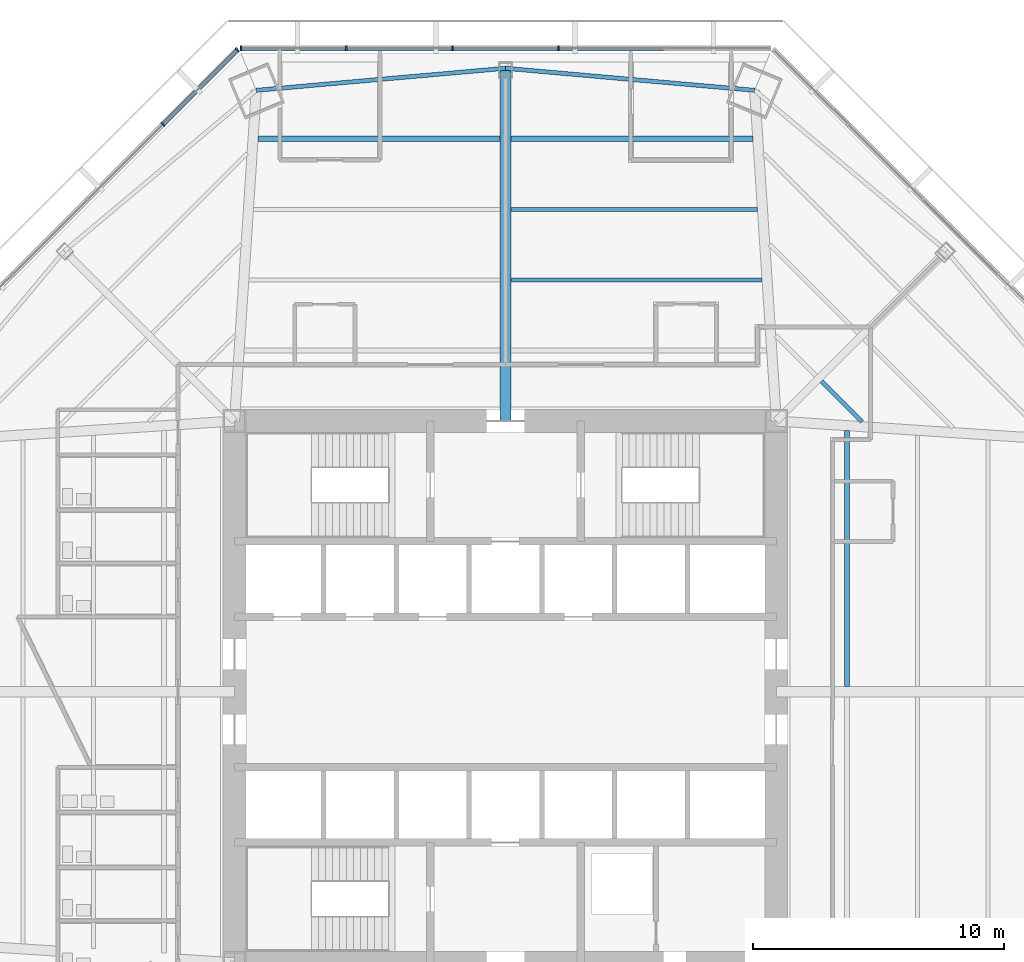
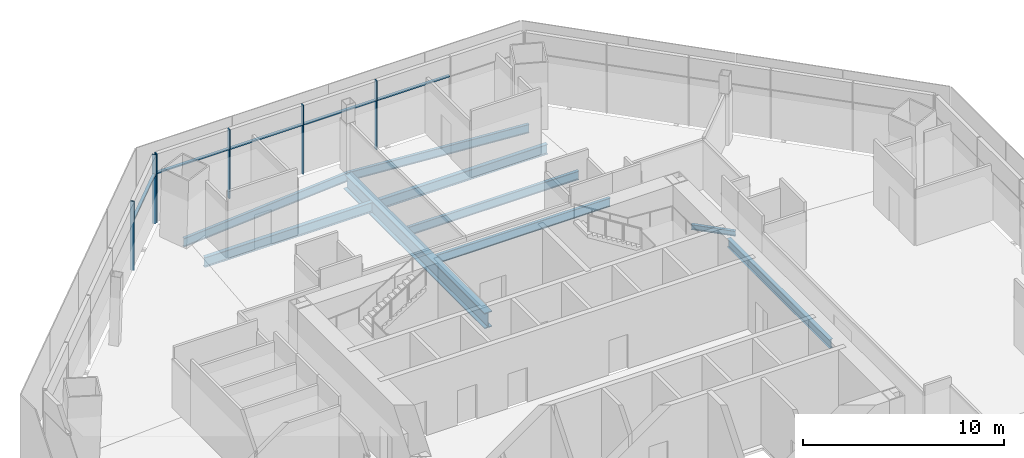
# One storey, part 7 of 18: 11 members, 9 beams, 2 elements without a shape of their own.
"""IFC4 building model written with IfcOpenShell, lengths in metres."""

from ifc_helpers import new_model, si_unit, direction, frame, origin, origin_2d, place, context, subcontext, project, spatial, rectangle, i_section, extrude, source, transform, mapped, material, material_profile, profile_set, type_object, type_shapes, element, aggregate, save


model = new_model("IFC4")

# Units and contexts
model_context = context("Model", 3, precision=1e-05, world=origin(), true_north=direction((0.0, 1.0)))
body_context = subcontext(model_context, "Body", "Model", "MODEL_VIEW")
ifc_project = project(units=[si_unit("LENGTHUNIT", "METRE"), si_unit("AREAUNIT", "SQUARE_METRE"), si_unit("VOLUMEUNIT", "CUBIC_METRE"), si_unit("PLANEANGLEUNIT", "RADIAN"), si_unit("MASSUNIT", "GRAM", prefix="KILO")], contexts=[model_context])

# Site, building, storey
site_placement = place(None, origin())
site = spatial("IfcSite", under=ifc_project, at=site_placement, CompositionType="ELEMENT")
building_placement = place(site_placement, origin())
building = spatial("IfcBuilding", under=site, at=building_placement, Name="Mashrafa Tower", CompositionType="ELEMENT")
storey_placement = place(building_placement, frame((0.0, 0.0, 83.39990234375)))
storey = spatial("IfcBuildingStorey", under=building, at=storey_placement, Name="L18", CompositionType="ELEMENT", Elevation=83.39990234375)

# Beams
ifc_material_1 = material(Name="Steel ASTM A992", Category="steel")
ifc_material_profile_1 = material_profile(ifc_material_1, i_section(OverallWidth=0.164794921875, OverallDepth=0.309814453125, WebThickness=0.005859375, FlangeThickness=0.009765625, FilletRadius=0.007568359375, at=origin_2d()), Name="W12X26")
ifc_profile_set_1 = profile_set([ifc_material_profile_1], Name="Steel ASTM A992")
beam_type_1 = type_object("IfcBeamType", Name="Beam W12X26", PredefinedType="BEAM", material=ifc_profile_set_1)
beam_1_placement = place(storey_placement, frame((12.6025390625, 12.386962890625, -0.31982421875), z_axis=(0.707106781187, -0.707106781187, 0.0), x_axis=(0.707106781187, 0.707106781187, 0.0)))
element("IfcBeam", 1, at=beam_1_placement, inside=storey, type_object=beam_type_1, Name="Floor beam L18 041", PredefinedType="BEAM", context=body_context, shape_type="SweptSolid", body=[
    extrude(i_section(OverallWidth=0.164794921875, OverallDepth=0.309814453125, WebThickness=0.005859375, FlangeThickness=0.009765625, FilletRadius=0.007568359375, at=origin_2d()), origin(), (0.0, 0.0, 1.0), 2.277099609375),
])
ifc_material_2 = material(Name="Steel ASTM A992", Category="steel")
ifc_material_profile_2 = material_profile(ifc_material_2, i_section(OverallWidth=0.165771484375, OverallDepth=0.5283203125, WebThickness=0.009765625, FlangeThickness=0.013671875, FilletRadius=0.012939453125, at=origin_2d()), Name="W21X50")
ifc_profile_set_2 = profile_set([ifc_material_profile_2], Name="Steel ASTM A992")
beam_type_2 = type_object("IfcBeamType", Name="Beam W21X50", PredefinedType="BEAM", material=ifc_profile_set_2)
beam_2_placement = place(storey_placement, frame((0.212158203125, 16.424072265625, -0.428955078125), z_axis=(1.0, 0.0, 0.0), x_axis=(0.0, 1.0, 0.0)))
element("IfcBeam", 2, at=beam_2_placement, inside=storey, type_object=beam_type_2, Name="Floor beam L18 030", PredefinedType="BEAM", context=body_context, shape_type="SweptSolid", body=[
    extrude(i_section(OverallWidth=0.165771484375, OverallDepth=0.5283203125, WebThickness=0.009765625, FlangeThickness=0.013671875, FilletRadius=0.012939453125, at=origin_2d()), origin(), (0.0, 0.0, 1.0), 10.01708984375),
])
beam_3_placement = place(storey_placement, frame((0.212158203125, 19.236083984375, -0.428955078125), z_axis=(1.0, 0.0, 0.0), x_axis=(0.0, 1.0, 0.0)))
element("IfcBeam", 3, at=beam_3_placement, inside=storey, type_object=beam_type_2, Name="Floor beam L18 031", PredefinedType="BEAM", context=body_context, shape_type="SweptSolid", body=[
    extrude(i_section(OverallWidth=0.165771484375, OverallDepth=0.5283203125, WebThickness=0.009765625, FlangeThickness=0.013671875, FilletRadius=0.012939453125, at=origin_2d()), origin(), (0.0, 0.0, 1.0), 9.832275390625),
])
for number, where, z_axis, x_axis, name in (
    (4, (0.0, 24.860107421875, -0.428955078125), (-0.996115083877, -0.088060999722, 0.0), (0.088060999722, -0.996115083877, 0.0), "Spandrel beam L18 081"),
    (5, (9.93359375, 23.98193359375, -0.428955078125), (-0.996115083877, 0.088060999722, 0.0), (-0.088060999722, -0.996115083877, 0.0), "Spandrel beam L18 083"),
):
    element("IfcBeam", number, at=place(storey_placement, frame(where, z_axis=z_axis, x_axis=x_axis)), inside=storey, type_object=beam_type_2, Name=name, PredefinedType="BEAM", context=body_context, shape_type="SweptSolid", body=[
        extrude(i_section(OverallWidth=0.165771484375, OverallDepth=0.5283203125, WebThickness=0.009765625, FlangeThickness=0.013671875, FilletRadius=0.012939453125, at=origin_2d()), origin(), (0.0, 0.0, 1.0), 9.972412109375),
    ])
ifc_material_3 = material(Name="Steel ASTM A992", Category="steel")
ifc_material_profile_3 = material_profile(ifc_material_3, i_section(OverallWidth=0.209228515625, OverallDepth=0.533447265625, WebThickness=0.01025390625, FlangeThickness=0.015625, FilletRadius=0.012939453125, at=origin_2d()), Name="W21X62")
ifc_profile_set_3 = profile_set([ifc_material_profile_3], Name="Steel ASTM A992")
beam_type_3 = type_object("IfcBeamType", Name="Beam W21X62", PredefinedType="BEAM", material=ifc_profile_set_3)
beam_4_placement = place(storey_placement, frame((13.612060546875, 10.4140625, -0.431640625), z_axis=(0.0, -1.0, 0.0), x_axis=(1.0, 0.0, 0.0)))
element("IfcBeam", 6, at=beam_4_placement, inside=storey, type_object=beam_type_3, Name="Floor beam L18 043", PredefinedType="BEAM", context=body_context, shape_type="SweptSolid", body=[
    extrude(i_section(OverallWidth=0.209228515625, OverallDepth=0.533447265625, WebThickness=0.01025390625, FlangeThickness=0.015625, FilletRadius=0.012939453125, at=origin_2d()), origin(), (0.0, 0.0, 1.0), 10.201904296875),
])
ifc_material_4 = material(Name="Steel ASTM A992", Category="steel")
ifc_material_profile_4 = material_profile(ifc_material_4, i_section(OverallWidth=0.227783203125, OverallDepth=0.60205078125, WebThickness=0.010498046875, FlangeThickness=0.014892578125, FilletRadius=0.012939453125, at=origin_2d()), Name="W24X68")
ifc_profile_set_4 = profile_set([ifc_material_profile_4], Name="Steel ASTM A992")
beam_type_4 = type_object("IfcBeamType", Name="Beam W24X68", PredefinedType="BEAM", material=ifc_profile_set_4)
for number, where, z_axis, x_axis, name in (
    (7, (-9.859619140625, 22.048095703125, -0.4658203125), (1.0, 0.0, 0.0), (0.0, 1.0, 0.0), "Floor beam L18 024"),
    (8, (0.212158203125, 22.048095703125, -0.4658203125), (1.0, 0.0, 0.0), (0.0, 1.0, 0.0), "Floor beam L18 032"),
):
    element("IfcBeam", number, at=place(storey_placement, frame(where, z_axis=z_axis, x_axis=x_axis)), inside=storey, type_object=beam_type_4, Name=name, PredefinedType="BEAM", context=body_context, shape_type="SweptSolid", body=[
        extrude(i_section(OverallWidth=0.227783203125, OverallDepth=0.60205078125, WebThickness=0.010498046875, FlangeThickness=0.014892578125, FilletRadius=0.012939453125, at=origin_2d()), origin(), (0.0, 0.0, 1.0), 9.6474609375),
    ])
ifc_material_5 = material(Name="Steel ASTM A992", Category="steel")
ifc_material_profile_5 = material_profile(ifc_material_5, i_section(OverallWidth=0.424072265625, OverallDepth=0.960205078125, WebThickness=0.028564453125, FlangeThickness=0.051025390625, FilletRadius=0.02001953125, at=origin_2d()), Name="W36X361")
ifc_profile_set_5 = profile_set([ifc_material_profile_5], Name="Steel ASTM A992")
beam_type_5 = type_object("IfcBeamType", Name="Beam W36X361", PredefinedType="BEAM", material=ifc_profile_set_5)
beam_5_placement = place(storey_placement, frame((0.0, 10.800048828125, -0.64501953125), z_axis=(0.0, 1.0, 0.0), x_axis=(-1.0, 0.0, 0.0)))
element("IfcBeam", 9, at=beam_5_placement, inside=storey, type_object=beam_type_5, Name="Radial girder L18 065", PredefinedType="BEAM", context=body_context, shape_type="SweptSolid", body=[
    extrude(i_section(OverallWidth=0.424072265625, OverallDepth=0.960205078125, WebThickness=0.028564453125, FlangeThickness=0.051025390625, FilletRadius=0.02001953125, at=origin_2d()), origin(), (0.0, 0.0, 1.0), 14.06005859375),
])

# Curtain wall, members
ifc_material_6 = material(Name="Unitised aluminium curtain wall", Category="aluminium")
curtain_wall_type = type_object("IfcCurtainWallType", Name="Office curtain wall, zone 1 CW-A 200 deep", PredefinedType="NOTDEFINED", material=ifc_material_6)
curtain_wall_1_placement = place(storey_placement, origin())
curtain_wall_1 = element("IfcCurtainWall", 10, at=curtain_wall_1_placement, inside=storey, type_object=curtain_wall_type, Name="Office curtain wall, zone 1 L18 north", PredefinedType="NOTDEFINED")
ifc_material_7 = material(Name="Extruded aluminium mullion", Category="aluminium")
ifc_material_profile_6 = material_profile(ifc_material_7, rectangle(XDim=0.199951171875, YDim=0.06494140625, at=origin_2d()), Name="Mullion 65x200")
ifc_profile_set_6 = profile_set([ifc_material_profile_6], Name="Extruded aluminium mullion")
member_type_1 = type_object("IfcMemberType", Name="Mullion CW-A 65 x 200", PredefinedType="MULLION", material=ifc_profile_set_6)
shared_shape_1 = source(origin(), body_context, "Body", "SweptSolid", [
    extrude(rectangle(XDim=0.199951171875, YDim=0.06494140625, at=origin_2d()), origin(), (0.0, 0.0, 1.0), 4.2001953125),
])
type_shapes(member_type_1, [shared_shape_1])
member_1_placement = place(storey_placement, frame((2.114990234375, 25.655517578125, 0.0), z_axis=(0.0, 0.0, 1.0), x_axis=(0.0, -1.0, 0.0)))
member_1 = element("IfcMember", 11, at=member_1_placement, type_object=member_type_1, Name="CW-A mullion 3", PredefinedType="MULLION", context=body_context, shape_type="MappedRepresentation", body=[
    mapped(shared_shape_1, transform((0.0, 0.0, 0.0))),
])
member_2_placement = place(storey_placement, frame((-2.114990234375, 25.655517578125, 0.0), z_axis=(0.0, 0.0, 1.0), x_axis=(0.0, -1.0, 0.0)))
member_2 = element("IfcMember", 12, at=member_2_placement, type_object=member_type_1, Name="CW-A mullion 4", PredefinedType="MULLION", context=body_context, shape_type="MappedRepresentation", body=[
    mapped(shared_shape_1, transform((0.0, 0.0, 0.0))),
])
member_3_placement = place(storey_placement, frame((-6.34521484375, 25.655517578125, 0.0), z_axis=(0.0, 0.0, 1.0), x_axis=(0.0, -1.0, 0.0)))
member_3 = element("IfcMember", 13, at=member_3_placement, type_object=member_type_1, Name="CW-A mullion 5", PredefinedType="MULLION", context=body_context, shape_type="MappedRepresentation", body=[
    mapped(shared_shape_1, transform((0.0, 0.0, 0.0))),
])
member_4_placement = place(storey_placement, frame((-10.54296875, 25.655517578125, 0.0), z_axis=(0.0, 0.0, 1.0), x_axis=(0.0, -1.0, 0.0)))
member_4 = element("IfcMember", 14, at=member_4_placement, type_object=member_type_1, Name="CW-A mullion 6", PredefinedType="MULLION", context=body_context, shape_type="MappedRepresentation", body=[
    mapped(shared_shape_1, transform((0.0, 0.0, 0.0))),
])

curtain_wall_2_placement = place(storey_placement, origin())
curtain_wall_2 = element("IfcCurtainWall", 15, at=curtain_wall_2_placement, inside=storey, type_object=curtain_wall_type, Name="Office curtain wall, zone 1 L18 north-west", PredefinedType="NOTDEFINED")
member_5_placement = place(storey_placement, frame((-10.686279296875, 25.59619140625, 0.0), z_axis=(0.0, 0.0, 1.0), x_axis=(0.707106781187, -0.707106781187, 0.0)))
member_5 = element("IfcMember", 16, at=member_5_placement, type_object=member_type_1, Name="CW-A mullion 1", PredefinedType="MULLION", context=body_context, shape_type="MappedRepresentation", body=[
    mapped(shared_shape_1, transform((0.0, 0.0, 0.0))),
])
member_6_placement = place(storey_placement, frame((-13.654296875, 22.6279296875, 0.0), z_axis=(0.0, 0.0, 1.0), x_axis=(0.707106781187, -0.707106781187, 0.0)))
member_6 = element("IfcMember", 17, at=member_6_placement, type_object=member_type_1, Name="CW-A mullion 2", PredefinedType="MULLION", context=body_context, shape_type="MappedRepresentation", body=[
    mapped(shared_shape_1, transform((0.0, 0.0, 0.0))),
])

# Member
ifc_material_8 = material(Name="Extruded aluminium transom", Category="aluminium")
ifc_material_profile_7 = material_profile(ifc_material_8, rectangle(XDim=0.159912109375, YDim=0.080078125, at=origin_2d()), Name="Transom 80x160")
ifc_profile_set_7 = profile_set([ifc_material_profile_7], Name="Extruded aluminium transom")
member_type_2 = type_object("IfcMemberType", Name="Transom CW-A 80 x 160", PredefinedType="MULLION", material=ifc_profile_set_7)
shared_shape_2 = source(origin(), body_context, "Body", "SweptSolid", [
    extrude(rectangle(XDim=0.159912109375, YDim=0.080078125, at=origin_2d()), origin(), (0.0, 0.0, 1.0), 4.1328125),
])
member_7_placement = place(storey_placement, frame((-6.377685546875, 25.655517578125, 3.0), z_axis=(-1.0, 0.0, 0.0), x_axis=(0.0, -1.0, 0.0)))
member_7 = element("IfcMember", 18, at=member_7_placement, type_object=member_type_2, Name="CW-A transom 5", PredefinedType="MULLION", context=body_context, shape_type="MappedRepresentation", body=[
    mapped(shared_shape_2, transform((0.0, 0.0, 0.0))),
])

shared_shape_3 = source(origin(), body_context, "Body", "SweptSolid", [
    extrude(rectangle(XDim=0.159912109375, YDim=0.080078125, at=origin_2d()), origin(), (0.0, 0.0, 1.0), 4.165283203125),
])
member_8_placement = place(storey_placement, frame((6.312744140625, 25.655517578125, 3.0), z_axis=(-1.0, 0.0, 0.0), x_axis=(0.0, -1.0, 0.0)))
member_8 = element("IfcMember", 19, at=member_8_placement, type_object=member_type_2, Name="CW-A transom 2", PredefinedType="MULLION", context=body_context, shape_type="MappedRepresentation", body=[
    mapped(shared_shape_3, transform((0.0, 0.0, 0.0))),
])

member_9_placement = place(storey_placement, frame((-2.1474609375, 25.655517578125, 3.0), z_axis=(-1.0, 0.0, 0.0), x_axis=(0.0, -1.0, 0.0)))
member_9 = element("IfcMember", 20, at=member_9_placement, type_object=member_type_2, Name="CW-A transom 4", PredefinedType="MULLION", context=body_context, shape_type="MappedRepresentation", body=[
    mapped(shared_shape_3, transform((0.0, 0.0, 0.0))),
])

shared_shape_4 = source(origin(), body_context, "Body", "SweptSolid", [
    extrude(rectangle(XDim=0.159912109375, YDim=0.080078125, at=origin_2d()), origin(), (0.0, 0.0, 1.0), 4.1650390625),
])
member_10_placement = place(storey_placement, frame((2.08251953125, 25.655517578125, 3.0), z_axis=(-1.0, 0.0, 0.0), x_axis=(0.0, -1.0, 0.0)))
member_10 = element("IfcMember", 21, at=member_10_placement, type_object=member_type_2, Name="CW-A transom 3", PredefinedType="MULLION", context=body_context, shape_type="MappedRepresentation", body=[
    mapped(shared_shape_4, transform((0.0, 0.0, 0.0))),
])

aggregate(curtain_wall_1, [member_1, member_2, member_3, member_4, member_8, member_10, member_9, member_7])

shared_shape_5 = source(origin(), body_context, "Body", "SweptSolid", [
    extrude(rectangle(XDim=0.159912109375, YDim=0.080078125, at=origin_2d()), origin(), (0.0, 0.0, 1.0), 4.132568359375),
])
type_shapes(member_type_2, [shared_shape_2, shared_shape_3, shared_shape_4, shared_shape_5])
member_11_placement = place(storey_placement, frame((-10.709228515625, 25.5732421875, 3.0), z_axis=(-0.707077242712, -0.707136318428, 0.0), x_axis=(0.707136318428, -0.707077242712, 0.0)))
member_11 = element("IfcMember", 22, at=member_11_placement, type_object=member_type_2, Name="CW-A transom 1", PredefinedType="MULLION", context=body_context, shape_type="MappedRepresentation", body=[
    mapped(shared_shape_5, transform((0.0, 0.0, 0.0))),
])

aggregate(curtain_wall_2, [member_5, member_6, member_11])

save(model, "model.ifc")
